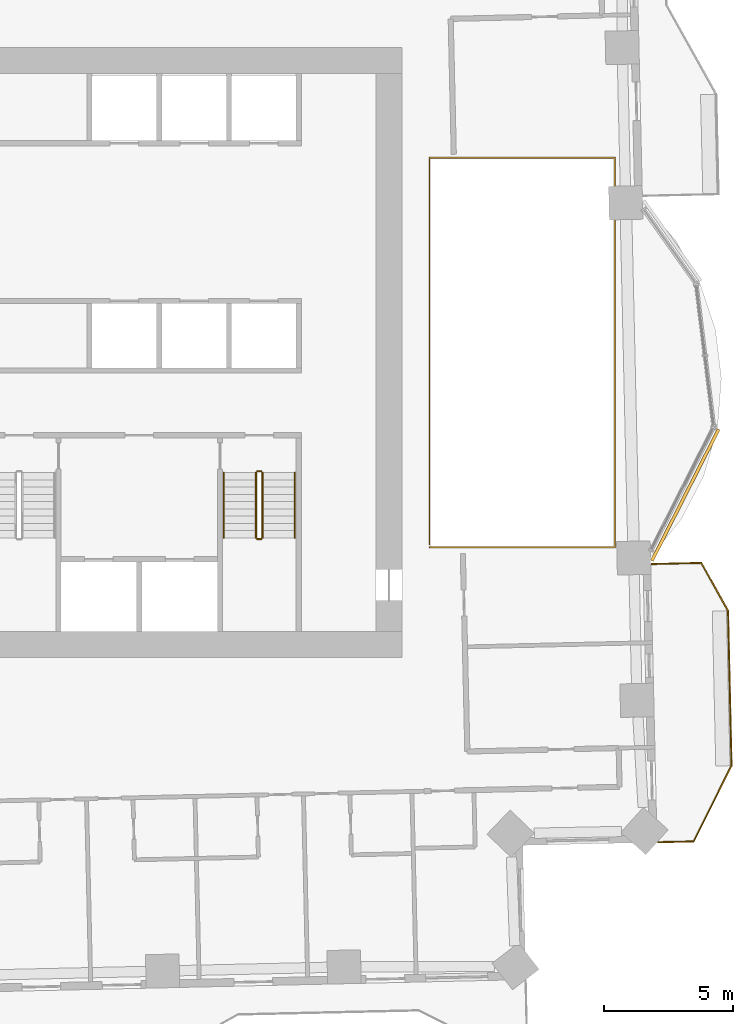
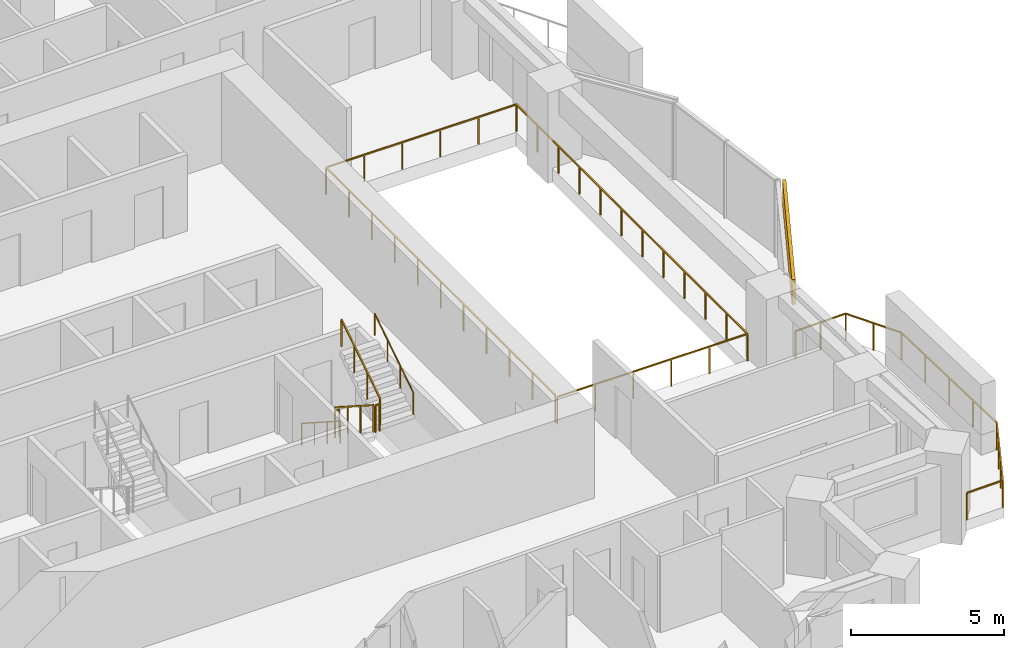
# One storey, part 15 of 16: 8 railings, 1 covering.
"""IFC4 building model written with IfcOpenShell, lengths in metres."""

from ifc_helpers import new_model, si_unit, direction, frame, frame_2d, origin, origin_2d, place, context, subcontext, project, spatial, rectangle, circle, extrude, material, layer, layer_set, type_object, element, save


model = new_model("IFC4")

# Units and contexts
model_context = context("Model", 3, precision=1e-05, world=origin(), true_north=direction((0.0, 1.0)))
body_context = subcontext(model_context, "Body", "Model", "MODEL_VIEW")
ifc_project = project(units=[si_unit("LENGTHUNIT", "METRE"), si_unit("AREAUNIT", "SQUARE_METRE"), si_unit("VOLUMEUNIT", "CUBIC_METRE"), si_unit("PLANEANGLEUNIT", "RADIAN"), si_unit("MASSUNIT", "GRAM", prefix="KILO")], contexts=[model_context])

# Site, building, storey
site_placement = place(None, origin())
site = spatial("IfcSite", under=ifc_project, at=site_placement, CompositionType="ELEMENT")
building_placement = place(site_placement, origin())
building = spatial("IfcBuilding", under=site, at=building_placement, Name="Mangrove Gate Tower", CompositionType="ELEMENT")
storey_placement = place(building_placement, frame((0.0, 0.0, 130.10009765625)))
storey = spatial("IfcBuildingStorey", under=building, at=storey_placement, Name="L32", CompositionType="ELEMENT", Elevation=130.10009765625)

# Railings
ifc_material_1 = material(Name="Stainless steel grade 316 with laminated glass infill", Category="steel")
railing_type_1 = type_object("IfcRailingType", Name="Balcony guard 1100", PredefinedType="GUARDRAIL", material=ifc_material_1)
railing_1_placement = place(storey_placement, frame((24.7109375, -18.95703125, 0.0)))
element("IfcRailing", 1, at=railing_1_placement, inside=storey, type_object=railing_type_1, Name="GUARD L32 E1", PredefinedType="GUARDRAIL", context=body_context, shape_type="SweptSolid", body=[
    extrude(rectangle(XDim=0.048095703125, YDim=0.048095703125, at=origin_2d()), frame((0.0, 0.0, 1.076171875), z_axis=(0.999746572278, 0.022512023879, 0.0), x_axis=(-0.022512023879, 0.999746572278, 0.0)), (0.0, 0.0, 1.0), 1.377197265625),
    extrude(rectangle(XDim=0.048095703125, YDim=0.048095703125, at=origin_2d()), frame((1.376953125, 0.031005859375, 1.076171875), z_axis=(0.4472135955, 0.894427191, 0.0), x_axis=(-0.894427191, 0.4472135955, 0.0)), (0.0, 0.0, 1.0), 3.280517578125),
    extrude(rectangle(XDim=0.048095703125, YDim=0.048095703125, at=origin_2d()), frame((2.843994140625, 2.965087890625, 1.076171875), z_axis=(-0.022665943652, 0.999743094499, 0.0), x_axis=(-0.999743094499, -0.022665943652, 0.0)), (0.0, 0.0, 1.0), 5.99951171875),
    extrude(rectangle(XDim=0.048095703125, YDim=0.048095703125, at=origin_2d()), frame((2.7080078125, 8.963134765625, 1.076171875), z_axis=(-0.487147690962, 0.873319601973, 0.0), x_axis=(-0.873319601973, -0.487147690962, 0.0)), (0.0, 0.0, 1.0), 2.120361328125),
    extrude(rectangle(XDim=0.048095703125, YDim=0.048095703125, at=origin_2d()), frame((1.675048828125, 10.81494140625, 1.076171875), z_axis=(-0.999737880615, -0.022894760625, 0.0), x_axis=(0.022894760625, -0.999737880615, 0.0)), (0.0, 0.0, 1.0), 1.91943359375),
    extrude(rectangle(XDim=0.0419921875, YDim=0.0419921875, at=origin_2d()), origin(), (0.0, 0.0, 1.0), 1.052001953125),
    extrude(rectangle(XDim=0.0419921875, YDim=0.0419921875, at=origin_2d()), frame((1.376953125, 0.031005859375, 0.0)), (0.0, 0.0, 1.0), 1.052001953125),
    extrude(rectangle(XDim=0.0419921875, YDim=0.0419921875, at=origin_2d()), frame((1.865966796875, 1.009033203125, 0.0)), (0.0, 0.0, 1.0), 1.052001953125),
    extrude(rectangle(XDim=0.0419921875, YDim=0.0419921875, at=origin_2d()), frame((2.35498046875, 1.987060546875, 0.0)), (0.0, 0.0, 1.0), 1.052001953125),
    extrude(rectangle(XDim=0.0419921875, YDim=0.0419921875, at=origin_2d()), frame((2.843994140625, 2.965087890625, 0.0)), (0.0, 0.0, 1.0), 1.052001953125),
    extrude(rectangle(XDim=0.0419921875, YDim=0.0419921875, at=origin_2d()), frame((2.81005859375, 4.464599609375, 0.0)), (0.0, 0.0, 1.0), 1.052001953125),
    extrude(rectangle(XDim=0.0419921875, YDim=0.0419921875, at=origin_2d()), frame((2.77587890625, 5.964111328125, 0.0)), (0.0, 0.0, 1.0), 1.052001953125),
    extrude(rectangle(XDim=0.0419921875, YDim=0.0419921875, at=origin_2d()), frame((2.741943359375, 7.463623046875, 0.0)), (0.0, 0.0, 1.0), 1.052001953125),
    extrude(rectangle(XDim=0.0419921875, YDim=0.0419921875, at=origin_2d()), frame((2.7080078125, 8.963134765625, 0.0)), (0.0, 0.0, 1.0), 1.052001953125),
    extrude(rectangle(XDim=0.0419921875, YDim=0.0419921875, at=origin_2d()), frame((2.19140625, 9.88916015625, 0.0)), (0.0, 0.0, 1.0), 1.052001953125),
    extrude(rectangle(XDim=0.0419921875, YDim=0.0419921875, at=origin_2d()), frame((1.675048828125, 10.81494140625, 0.0)), (0.0, 0.0, 1.0), 1.052001953125),
    extrude(rectangle(XDim=0.0419921875, YDim=0.0419921875, at=origin_2d()), frame((0.715576171875, 10.79296875, 0.0)), (0.0, 0.0, 1.0), 1.052001953125),
    extrude(rectangle(XDim=0.0419921875, YDim=0.0419921875, at=origin_2d()), frame((-0.243896484375, 10.77099609375, 0.0)), (0.0, 0.0, 1.0), 1.052001953125),
])
railing_2_placement = place(storey_placement, frame((15.860107421875, -7.5400390625, 0.0)))
element("IfcRailing", 2, at=railing_2_placement, inside=storey, type_object=railing_type_1, Name="GUARD L32 atrium", PredefinedType="GUARDRAIL", context=body_context, shape_type="SweptSolid", body=[
    extrude(rectangle(XDim=0.048095703125, YDim=0.048095703125, at=origin_2d()), frame((0.0, 0.0, 1.076171875), z_axis=(1.0, 0.0, 0.0), x_axis=(0.0, 1.0, 0.0)), (0.0, 0.0, 1.0), 7.1748046875),
    extrude(rectangle(XDim=0.048095703125, YDim=0.048095703125, at=origin_2d()), frame((7.1748046875, 0.0, 1.076171875), z_axis=(0.0, 1.0, 0.0), x_axis=(-1.0, 0.0, 0.0)), (0.0, 0.0, 1.0), 15.080078125),
    extrude(rectangle(XDim=0.048095703125, YDim=0.048095703125, at=origin_2d()), frame((7.1748046875, 15.080078125, 1.076171875), z_axis=(-1.0, 0.0, 0.0), x_axis=(0.0, -1.0, 0.0)), (0.0, 0.0, 1.0), 7.1748046875),
    extrude(rectangle(XDim=0.048095703125, YDim=0.048095703125, at=origin_2d()), frame((0.0, 15.080078125, 1.076171875), z_axis=(0.0, -1.0, 0.0), x_axis=(1.0, 0.0, 0.0)), (0.0, 0.0, 1.0), 14.9599609375),
    extrude(rectangle(XDim=0.0419921875, YDim=0.0419921875, at=origin_2d()), origin(), (0.0, 0.0, 1.0), 1.052001953125),
    extrude(rectangle(XDim=0.0419921875, YDim=0.0419921875, at=origin_2d()), frame((1.43505859375, 0.0, 0.0)), (0.0, 0.0, 1.0), 1.052001953125),
    extrude(rectangle(XDim=0.0419921875, YDim=0.0419921875, at=origin_2d()), frame((2.869873046875, 0.0, 0.0)), (0.0, 0.0, 1.0), 1.052001953125),
    extrude(rectangle(XDim=0.0419921875, YDim=0.0419921875, at=origin_2d()), frame((4.304931640625, 0.0, 0.0)), (0.0, 0.0, 1.0), 1.052001953125),
    extrude(rectangle(XDim=0.0419921875, YDim=0.0419921875, at=origin_2d()), frame((5.73974609375, 0.0, 0.0)), (0.0, 0.0, 1.0), 1.052001953125),
    extrude(rectangle(XDim=0.0419921875, YDim=0.0419921875, at=origin_2d()), frame((7.1748046875, 0.0, 0.0)), (0.0, 0.0, 1.0), 1.052001953125),
    extrude(rectangle(XDim=0.0419921875, YDim=0.0419921875, at=origin_2d()), frame((7.1748046875, 1.370849609375, 0.0)), (0.0, 0.0, 1.0), 1.052001953125),
    extrude(rectangle(XDim=0.0419921875, YDim=0.0419921875, at=origin_2d()), frame((7.1748046875, 2.741943359375, 0.0)), (0.0, 0.0, 1.0), 1.052001953125),
    extrude(rectangle(XDim=0.0419921875, YDim=0.0419921875, at=origin_2d()), frame((7.1748046875, 4.11279296875, 0.0)), (0.0, 0.0, 1.0), 1.052001953125),
    extrude(rectangle(XDim=0.0419921875, YDim=0.0419921875, at=origin_2d()), frame((7.1748046875, 5.483642578125, 0.0)), (0.0, 0.0, 1.0), 1.052001953125),
    extrude(rectangle(XDim=0.0419921875, YDim=0.0419921875, at=origin_2d()), frame((7.1748046875, 6.8544921875, 0.0)), (0.0, 0.0, 1.0), 1.052001953125),
    extrude(rectangle(XDim=0.0419921875, YDim=0.0419921875, at=origin_2d()), frame((7.1748046875, 8.2255859375, 0.0)), (0.0, 0.0, 1.0), 1.052001953125),
    extrude(rectangle(XDim=0.0419921875, YDim=0.0419921875, at=origin_2d()), frame((7.1748046875, 9.596435546875, 0.0)), (0.0, 0.0, 1.0), 1.052001953125),
    extrude(rectangle(XDim=0.0419921875, YDim=0.0419921875, at=origin_2d()), frame((7.1748046875, 10.96728515625, 0.0)), (0.0, 0.0, 1.0), 1.052001953125),
    extrude(rectangle(XDim=0.0419921875, YDim=0.0419921875, at=origin_2d()), frame((7.1748046875, 12.338134765625, 0.0)), (0.0, 0.0, 1.0), 1.052001953125),
    extrude(rectangle(XDim=0.0419921875, YDim=0.0419921875, at=origin_2d()), frame((7.1748046875, 13.709228515625, 0.0)), (0.0, 0.0, 1.0), 1.052001953125),
    extrude(rectangle(XDim=0.0419921875, YDim=0.0419921875, at=origin_2d()), frame((7.1748046875, 15.080078125, 0.0)), (0.0, 0.0, 1.0), 1.052001953125),
    extrude(rectangle(XDim=0.0419921875, YDim=0.0419921875, at=origin_2d()), frame((5.73974609375, 15.080078125, 0.0)), (0.0, 0.0, 1.0), 1.052001953125),
    extrude(rectangle(XDim=0.0419921875, YDim=0.0419921875, at=origin_2d()), frame((4.304931640625, 15.080078125, 0.0)), (0.0, 0.0, 1.0), 1.052001953125),
    extrude(rectangle(XDim=0.0419921875, YDim=0.0419921875, at=origin_2d()), frame((2.869873046875, 15.080078125, 0.0)), (0.0, 0.0, 1.0), 1.052001953125),
    extrude(rectangle(XDim=0.0419921875, YDim=0.0419921875, at=origin_2d()), frame((1.43505859375, 15.080078125, 0.0)), (0.0, 0.0, 1.0), 1.052001953125),
    extrude(rectangle(XDim=0.0419921875, YDim=0.0419921875, at=origin_2d()), frame((0.0, 15.080078125, 0.0)), (0.0, 0.0, 1.0), 1.052001953125),
    extrude(rectangle(XDim=0.0419921875, YDim=0.0419921875, at=origin_2d()), frame((0.0, 13.583984375, 0.0)), (0.0, 0.0, 1.0), 1.052001953125),
    extrude(rectangle(XDim=0.0419921875, YDim=0.0419921875, at=origin_2d()), frame((0.0, 12.088134765625, 0.0)), (0.0, 0.0, 1.0), 1.052001953125),
    extrude(rectangle(XDim=0.0419921875, YDim=0.0419921875, at=origin_2d()), frame((0.0, 10.592041015625, 0.0)), (0.0, 0.0, 1.0), 1.052001953125),
    extrude(rectangle(XDim=0.0419921875, YDim=0.0419921875, at=origin_2d()), frame((0.0, 9.09619140625, 0.0)), (0.0, 0.0, 1.0), 1.052001953125),
    extrude(rectangle(XDim=0.0419921875, YDim=0.0419921875, at=origin_2d()), frame((0.0, 7.60009765625, 0.0)), (0.0, 0.0, 1.0), 1.052001953125),
    extrude(rectangle(XDim=0.0419921875, YDim=0.0419921875, at=origin_2d()), frame((0.0, 6.10400390625, 0.0)), (0.0, 0.0, 1.0), 1.052001953125),
    extrude(rectangle(XDim=0.0419921875, YDim=0.0419921875, at=origin_2d()), frame((0.0, 4.608154296875, 0.0)), (0.0, 0.0, 1.0), 1.052001953125),
    extrude(rectangle(XDim=0.0419921875, YDim=0.0419921875, at=origin_2d()), frame((0.0, 3.112060546875, 0.0)), (0.0, 0.0, 1.0), 1.052001953125),
    extrude(rectangle(XDim=0.0419921875, YDim=0.0419921875, at=origin_2d()), frame((0.0, 1.6162109375, 0.0)), (0.0, 0.0, 1.0), 1.052001953125),
    extrude(rectangle(XDim=0.0419921875, YDim=0.0419921875, at=origin_2d()), frame((0.0, 0.1201171875, 0.0)), (0.0, 0.0, 1.0), 1.052001953125),
])
ifc_material_2 = material(Name="Stainless steel 316", Category="steel")
railing_type_2 = type_object("IfcRailingType", Name="Core stair guard 1100", PredefinedType="GUARDRAIL", material=ifc_material_2)
railing_3_placement = place(storey_placement, frame((9.14990234375, -4.64990234375, 0.179931640625)))
element("IfcRailing", 3, at=railing_3_placement, inside=storey, type_object=railing_type_2, Name="L32 ST3 stair guard 1", PredefinedType="GUARDRAIL", context=body_context, shape_type="SweptSolid", body=[
    extrude(rectangle(XDim=0.048095703125, YDim=0.048095703125, at=origin_2d()), frame((0.0, 0.0, 1.076171875), z_axis=(0.0, -0.841199657755, 0.540724639528), x_axis=(1.0, 0.0, 0.0)), (0.0, 0.0, 1.0), 2.995849609375),
    extrude(rectangle(XDim=0.0419921875, YDim=0.0419921875, at=origin_2d()), origin(), (0.0, 0.0, 1.0), 1.052001953125),
    extrude(rectangle(XDim=0.0419921875, YDim=0.0419921875, at=origin_2d()), frame((0.0, -0.840087890625, 0.5400390625)), (0.0, 0.0, 1.0), 1.052001953125),
    extrude(rectangle(XDim=0.0419921875, YDim=0.0419921875, at=origin_2d()), frame((0.0, -1.679931640625, 1.079833984375)), (0.0, 0.0, 1.0), 1.052001953125),
    extrude(rectangle(XDim=0.0419921875, YDim=0.0419921875, at=origin_2d()), frame((0.0, -2.52001953125, 1.619873046875)), (0.0, 0.0, 1.0), 1.052001953125),
])
railing_4_placement = place(storey_placement, frame((9.199951171875, -7.219970703125, 1.7998046875)))
element("IfcRailing", 4, at=railing_4_placement, inside=storey, type_object=railing_type_2, Name="L32 ST3 stair guard 2", PredefinedType="GUARDRAIL", context=body_context, shape_type="SweptSolid", body=[
    extrude(rectangle(XDim=0.048095703125, YDim=0.048095703125, at=origin_2d()), frame((0.0, 0.0, 1.076171875), z_axis=(1.0, 0.0, 0.0), x_axis=(0.0, 1.0, 0.0)), (0.0, 0.0, 1.0), 0.150146484375),
    extrude(rectangle(XDim=0.0419921875, YDim=0.0419921875, at=origin_2d()), origin(), (0.0, 0.0, 1.0), 1.052001953125),
    extrude(rectangle(XDim=0.0419921875, YDim=0.0419921875, at=origin_2d()), frame((0.150146484375, 0.0, 0.0)), (0.0, 0.0, 1.0), 1.052001953125),
])
railing_5_placement = place(storey_placement, frame((9.39990234375, -7.169921875, 1.97998046875)))
element("IfcRailing", 5, at=railing_5_placement, inside=storey, type_object=railing_type_2, Name="L32 ST3 stair guard 3", PredefinedType="GUARDRAIL", context=body_context, shape_type="SweptSolid", body=[
    extrude(rectangle(XDim=0.048095703125, YDim=0.048095703125, at=origin_2d()), frame((0.0, 0.0, 1.076171875), z_axis=(0.0, 0.841199657755, 0.540724639528), x_axis=(-1.0, 0.0, 0.0)), (0.0, 0.0, 1.0), 2.995849609375),
    extrude(rectangle(XDim=0.0419921875, YDim=0.0419921875, at=origin_2d()), origin(), (0.0, 0.0, 1.0), 1.052001953125),
    extrude(rectangle(XDim=0.0419921875, YDim=0.0419921875, at=origin_2d()), frame((0.0, 0.840087890625, 0.5400390625)), (0.0, 0.0, 1.0), 1.052001953125),
    extrude(rectangle(XDim=0.0419921875, YDim=0.0419921875, at=origin_2d()), frame((0.0, 1.679931640625, 1.079833984375)), (0.0, 0.0, 1.0), 1.052001953125),
    extrude(rectangle(XDim=0.0419921875, YDim=0.0419921875, at=origin_2d()), frame((0.0, 2.52001953125, 1.619873046875)), (0.0, 0.0, 1.0), 1.052001953125),
])
railing_6_placement = place(storey_placement, frame((9.199951171875, -4.60009765625, 0.0)))
element("IfcRailing", 6, at=railing_6_placement, inside=storey, type_object=railing_type_2, Name="L32 ST3 stair guard 4", PredefinedType="GUARDRAIL", context=body_context, shape_type="SweptSolid", body=[
    extrude(rectangle(XDim=0.048095703125, YDim=0.048095703125, at=origin_2d()), frame((0.0, 0.0, 1.076171875), z_axis=(1.0, 0.0, 0.0), x_axis=(0.0, 1.0, 0.0)), (0.0, 0.0, 1.0), 0.150146484375),
    extrude(rectangle(XDim=0.0419921875, YDim=0.0419921875, at=origin_2d()), origin(), (0.0, 0.0, 1.0), 1.052001953125),
    extrude(rectangle(XDim=0.0419921875, YDim=0.0419921875, at=origin_2d()), frame((0.150146484375, 0.0, 0.0)), (0.0, 0.0, 1.0), 1.052001953125),
])
ifc_material_3 = material(Name="Stainless steel 316", Category="steel")
railing_type_3 = type_object("IfcRailingType", Name="Core stair handrail 900", PredefinedType="HANDRAIL", material=ifc_material_3)
railing_7_placement = place(storey_placement, frame((7.89990234375, -4.64990234375, 0.179931640625)))
element("IfcRailing", 7, at=railing_7_placement, inside=storey, type_object=railing_type_3, Name="L32 ST3 stair handrail 1", PredefinedType="HANDRAIL", context=body_context, shape_type="SweptSolid", body=[
    extrude(circle(Radius=0.02392578125, at=origin_2d()), frame((0.0, 0.0, 0.8759765625), z_axis=(0.0, -0.841199657755, 0.540724639528), x_axis=(1.0, 0.0, 0.0)), (0.0, 0.0, 1.0), 2.995849609375),
    extrude(circle(Radius=0.02099609375, at=origin_2d()), origin(), (0.0, 0.0, 1.0), 0.851806640625),
    extrude(circle(Radius=0.02099609375, at=origin_2d()), frame((0.0, -0.840087890625, 0.5400390625)), (0.0, 0.0, 1.0), 0.851806640625),
    extrude(circle(Radius=0.02099609375, at=origin_2d()), frame((0.0, -1.679931640625, 1.079833984375)), (0.0, 0.0, 1.0), 0.851806640625),
    extrude(circle(Radius=0.02099609375, at=origin_2d()), frame((0.0, -2.52001953125, 1.619873046875)), (0.0, 0.0, 1.0), 0.851806640625),
])
railing_8_placement = place(storey_placement, frame((10.64990234375, -7.169921875, 1.97998046875)))
element("IfcRailing", 8, at=railing_8_placement, inside=storey, type_object=railing_type_3, Name="L32 ST3 stair handrail 2", PredefinedType="HANDRAIL", context=body_context, shape_type="SweptSolid", body=[
    extrude(circle(Radius=0.02392578125, at=origin_2d()), frame((0.0, 0.0, 0.8759765625), z_axis=(0.0, 0.841199657755, 0.540724639528), x_axis=(-1.0, 0.0, 0.0)), (0.0, 0.0, 1.0), 2.995849609375),
    extrude(circle(Radius=0.02099609375, at=origin_2d()), origin(), (0.0, 0.0, 1.0), 0.851806640625),
    extrude(circle(Radius=0.02099609375, at=origin_2d()), frame((0.0, 0.840087890625, 0.5400390625)), (0.0, 0.0, 1.0), 0.851806640625),
    extrude(circle(Radius=0.02099609375, at=origin_2d()), frame((0.0, 1.679931640625, 1.079833984375)), (0.0, 0.0, 1.0), 0.851806640625),
    extrude(circle(Radius=0.02099609375, at=origin_2d()), frame((0.0, 2.52001953125, 1.619873046875)), (0.0, 0.0, 1.0), 0.851806640625),
])

# Covering
ifc_material_4 = material(Name="Limestone", Category="masonry")
ifc_layer_1 = layer(ifc_material_4, 0.0400390625, Name="Limestone cladding")
ifc_material_5 = material(Name="Stainless steel anchors and cavity", Category="steel")
ifc_layer_2 = layer(ifc_material_5, 0.080078125, Name="Fixing cavity")
ifc_layer_set = layer_set([ifc_layer_1, ifc_layer_2], Name="Joint fascia cladding 120")
covering_type = type_object("IfcCoveringType", Name="Joint fascia cladding 120", PredefinedType="CLADDING", material=ifc_layer_set)
covering_placement = place(storey_placement, frame((24.47412109375, -8.059326171875, 2.0498046875), z_axis=(0.0, 0.0, 1.0), x_axis=(0.452615399326, 0.89170583731, 0.0)))
element("IfcCovering", 9, at=covering_placement, inside=storey, type_object=covering_type, Name="STONE FASCIA L32 E1.L1", PredefinedType="CLADDING", context=body_context, shape_type="SweptSolid", body=[
    extrude(rectangle(XDim=5.7041015625, YDim=0.1201171875, at=frame_2d((2.85205078125, 0.0))), origin(), (0.0, 0.0, 1.0), 1.0),
])

save(model, "model.ifc")
